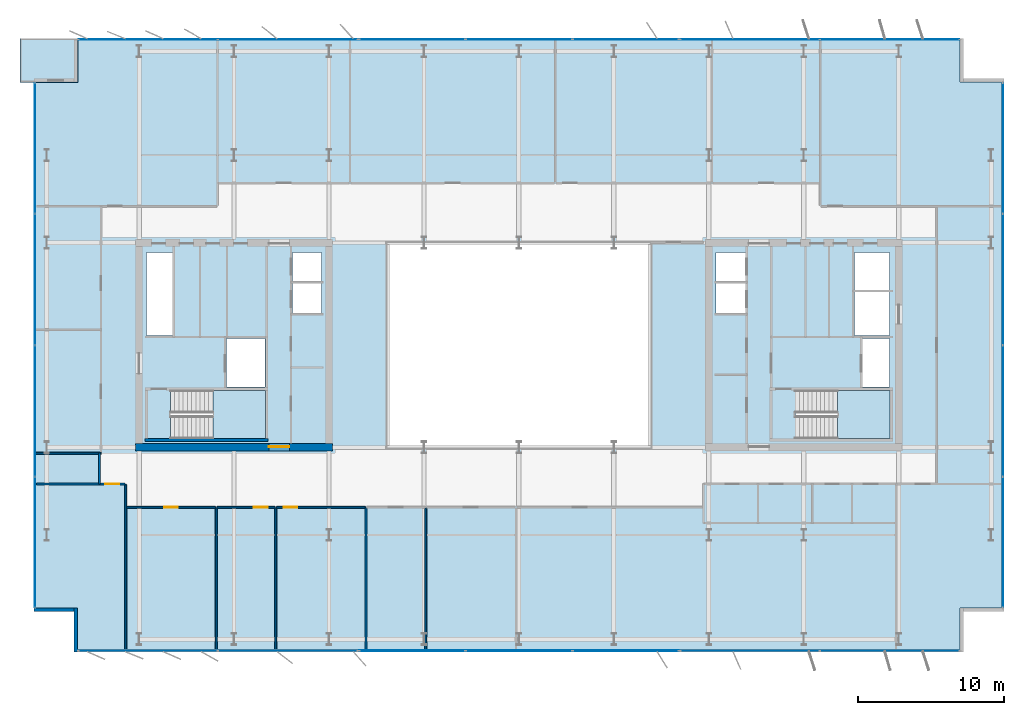
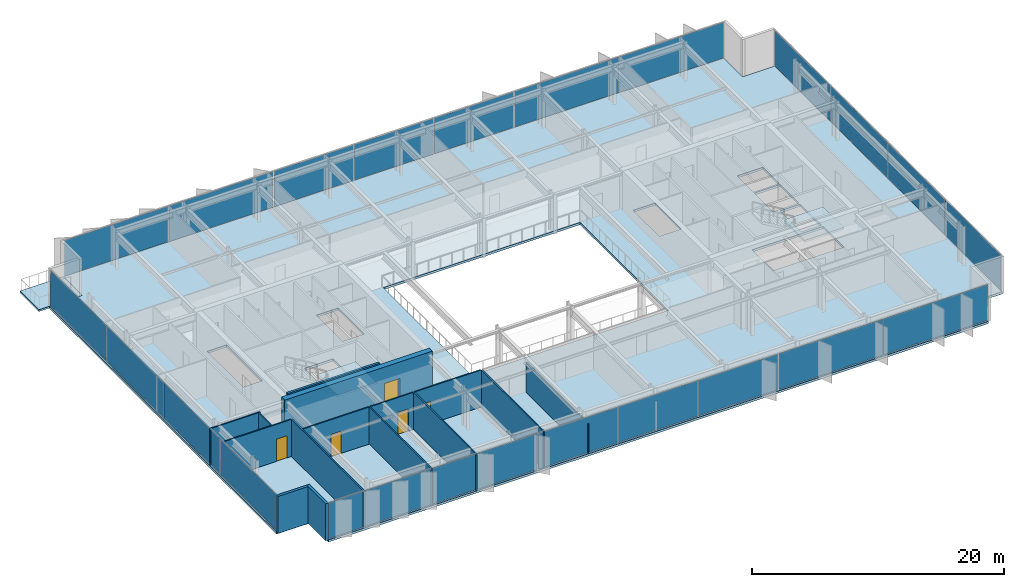
# One storey, part 16 of 23: 22 plates, 15 walls, 5 doors, 4 slabs, 5 openings, 10 elements without a shape of their own.
"""IFC4 building model written with IfcOpenShell, lengths in metres."""

from ifc_helpers import new_model, si_unit, direction, frame, frame_2d, origin, origin_2d, place, context, subcontext, project, spatial, polyline, rectangle, outline, extrude, material, layer, layer_set, type_object, element, fill, aggregate, save


model = new_model("IFC4")

# Units and contexts
model_context = context("Model", 3, precision=1e-05, world=origin(), true_north=direction((0.0, 1.0)))
body_context = subcontext(model_context, "Body", "Model", "MODEL_VIEW")
ifc_project = project(units=[si_unit("LENGTHUNIT", "METRE"), si_unit("AREAUNIT", "SQUARE_METRE"), si_unit("VOLUMEUNIT", "CUBIC_METRE"), si_unit("PLANEANGLEUNIT", "RADIAN"), si_unit("MASSUNIT", "GRAM", prefix="KILO")], contexts=[model_context])

# Site, building, storey
site_placement = place(None, origin())
site = spatial("IfcSite", under=ifc_project, at=site_placement, CompositionType="ELEMENT")
building_placement = place(site_placement, origin())
building = spatial("IfcBuilding", under=site, at=building_placement, Name="Putna Gate Headquarters", CompositionType="ELEMENT")
storey_placement = place(building_placement, frame((0.0, 0.0, 213.800048828125)))
storey = spatial("IfcBuildingStorey", under=building, at=storey_placement, Name="L53", CompositionType="ELEMENT", Elevation=213.800048828125)

# Stair, slab
ifc_material_1 = material(Name="Concrete C40/50", Category="concrete")
stair_type_1 = type_object("IfcStairType", Name="STAIR-ST1", PredefinedType="HALF_TURN_STAIR", material=ifc_material_1)
stair_1_placement = place(storey_placement, origin())
stair_1 = element("IfcStair", 1, at=stair_1_placement, inside=storey, type_object=stair_type_1, Name="L53 West Core Exit Stair ST1", PredefinedType="HALF_TURN_STAIR")
ifc_layer_1 = layer(ifc_material_1, 0.199951171875)
ifc_layer_set_1 = layer_set([ifc_layer_1], Name="Concrete C40/50")
slab_type_1 = type_object("IfcSlabType", Name="LANDING-ST1", PredefinedType="LANDING", material=ifc_layer_set_1)
slab_1_placement = place(storey_placement, frame((0.0, 0.0, 1.699951171875)))
slab_1 = element("IfcSlab", 2, at=slab_1_placement, type_object=slab_type_1, Name="ST1 landing 1", PredefinedType="LANDING", context=body_context, shape_type="SweptSolid", body=[
    extrude(outline(polyline([(18.050048828125, 19.60009765625), (21.64990234375, 19.60009765625), (21.64990234375, 22.89990234375), (18.050048828125, 22.89990234375), (18.050048828125, 19.60009765625)])), origin(), (0.0, 0.0, 1.0), 0.199951171875),
])
aggregate(stair_1, [slab_1])

stair_type_2 = type_object("IfcStairType", Name="STAIR-ST2", PredefinedType="HALF_TURN_STAIR", material=ifc_material_1)
stair_2_placement = place(storey_placement, origin())
stair_2 = element("IfcStair", 3, at=stair_2_placement, inside=storey, type_object=stair_type_2, Name="L53 East Core Exit Stair ST2", PredefinedType="HALF_TURN_STAIR")
ifc_layer_2 = layer(ifc_material_1, 0.199951171875)
ifc_layer_set_2 = layer_set([ifc_layer_2], Name="Concrete C40/50")
slab_type_2 = type_object("IfcSlabType", Name="LANDING-ST2", PredefinedType="LANDING", material=ifc_layer_set_2)
slab_2_placement = place(storey_placement, frame((0.0, 0.0, 1.699951171875)))
slab_2 = element("IfcSlab", 4, at=slab_2_placement, type_object=slab_type_2, Name="ST2 landing 1", PredefinedType="LANDING", context=body_context, shape_type="SweptSolid", body=[
    extrude(outline(polyline([(60.800048828125, 19.60009765625), (64.39990234375, 19.60009765625), (64.39990234375, 22.89990234375), (60.800048828125, 22.89990234375), (60.800048828125, 19.60009765625)])), origin(), (0.0, 0.0, 1.0), 0.199951171875),
])
aggregate(stair_2, [slab_2])

# Curtain wall, plates
ifc_material_2 = material(Name="Anodised bronze aluminium curtain wall", Category="aluminium")
ifc_layer_3 = layer(ifc_material_2, 0.139892578125)
ifc_layer_set_3 = layer_set([ifc_layer_3], Name="Anodised bronze aluminium curtain wall")
curtain_wall_type_1 = type_object("IfcCurtainWallType", Name="CW-SYS-Z4", PredefinedType="USERDEFINED", material=ifc_layer_set_3)
curtain_wall_1_placement = place(storey_placement, origin())
curtain_wall_1 = element("IfcCurtainWall", 5, at=curtain_wall_1_placement, inside=storey, type_object=curtain_wall_type_1, Name="L53 South West Curtain Wall", ObjectType="STICK CURTAIN WALL", PredefinedType="USERDEFINED")
ifc_material_3 = material(Name="Solar-control triple low-E glass", Category="glass")
ifc_layer_4 = layer(ifc_material_3, 0.02587890625)
ifc_layer_set_4 = layer_set([ifc_layer_4], Name="Solar-control triple low-E glass")
plate_type_1 = type_object("IfcPlateType", Name="PAN-CWP-4", PredefinedType="CURTAIN_PANEL", material=ifc_layer_set_4)
plate_1_placement = place(storey_placement, frame((13.614990234375, 5.080078125, 0.06005859375), z_axis=(0.0, 0.0, 1.0), x_axis=(1.0, 0.0, 0.0)))
plate_1 = element("IfcPlate", 6, at=plate_1_placement, type_object=plate_type_1, Name="CWS-4 panel 1.1", PredefinedType="CURTAIN_PANEL", context=body_context, shape_type="SweptSolid", body=[
    extrude(rectangle(XDim=9.510009765625, YDim=0.02587890625, at=origin_2d()), origin(), (0.0, 0.0, 1.0), 3.4599609375),
])
plate_2_placement = place(storey_placement, frame((23.18505859375, 5.080078125, 0.06005859375), z_axis=(0.0, 0.0, 1.0), x_axis=(1.0, 0.0, 0.0)))
plate_2 = element("IfcPlate", 7, at=plate_2_placement, type_object=plate_type_1, Name="CWS-4 panel 2.1", PredefinedType="CURTAIN_PANEL", context=body_context, shape_type="SweptSolid", body=[
    extrude(rectangle(XDim=9.510009765625, YDim=0.02587890625, at=origin_2d()), origin(), (0.0, 0.0, 1.0), 3.4599609375),
])
aggregate(curtain_wall_1, [plate_1, plate_2])

curtain_wall_2_placement = place(storey_placement, origin())
curtain_wall_2 = element("IfcCurtainWall", 8, at=curtain_wall_2_placement, inside=storey, type_object=curtain_wall_type_1, Name="L53 South East Curtain Wall", ObjectType="STICK CURTAIN WALL", PredefinedType="USERDEFINED")
plate_3_placement = place(storey_placement, frame((54.81494140625, 5.080078125, 0.06005859375), z_axis=(0.0, 0.0, 1.0), x_axis=(1.0, 0.0, 0.0)))
plate_3 = element("IfcPlate", 9, at=plate_3_placement, type_object=plate_type_1, Name="CWS-4 panel 1.1", PredefinedType="CURTAIN_PANEL", context=body_context, shape_type="SweptSolid", body=[
    extrude(rectangle(XDim=9.510009765625, YDim=0.02587890625, at=origin_2d()), origin(), (0.0, 0.0, 1.0), 3.4599609375),
])
plate_4_placement = place(storey_placement, frame((64.385009765625, 5.080078125, 0.06005859375), z_axis=(0.0, 0.0, 1.0), x_axis=(1.0, 0.0, 0.0)))
plate_4 = element("IfcPlate", 10, at=plate_4_placement, type_object=plate_type_1, Name="CWS-4 panel 2.1", PredefinedType="CURTAIN_PANEL", context=body_context, shape_type="SweptSolid", body=[
    extrude(rectangle(XDim=9.510009765625, YDim=0.02587890625, at=origin_2d()), origin(), (0.0, 0.0, 1.0), 3.4599609375),
])
aggregate(curtain_wall_2, [plate_3, plate_4])

curtain_wall_3_placement = place(storey_placement, origin())
curtain_wall_3 = element("IfcCurtainWall", 11, at=curtain_wall_3_placement, inside=storey, type_object=curtain_wall_type_1, Name="L53 North West Curtain Wall", ObjectType="STICK CURTAIN WALL", PredefinedType="USERDEFINED")
plate_5_placement = place(storey_placement, frame((13.614990234375, 46.919921875, 0.06005859375), z_axis=(0.0, 0.0, 1.0), x_axis=(1.0, 0.0, 0.0)))
plate_5 = element("IfcPlate", 12, at=plate_5_placement, type_object=plate_type_1, Name="CWS-4 panel 1.1", PredefinedType="CURTAIN_PANEL", context=body_context, shape_type="SweptSolid", body=[
    extrude(rectangle(XDim=9.510009765625, YDim=0.02587890625, at=origin_2d()), origin(), (0.0, 0.0, 1.0), 3.4599609375),
])
plate_6_placement = place(storey_placement, frame((23.18505859375, 46.919921875, 0.06005859375), z_axis=(0.0, 0.0, 1.0), x_axis=(1.0, 0.0, 0.0)))
plate_6 = element("IfcPlate", 13, at=plate_6_placement, type_object=plate_type_1, Name="CWS-4 panel 2.1", PredefinedType="CURTAIN_PANEL", context=body_context, shape_type="SweptSolid", body=[
    extrude(rectangle(XDim=9.510009765625, YDim=0.02587890625, at=origin_2d()), origin(), (0.0, 0.0, 1.0), 3.4599609375),
])
aggregate(curtain_wall_3, [plate_5, plate_6])

curtain_wall_4_placement = place(storey_placement, origin())
curtain_wall_4 = element("IfcCurtainWall", 14, at=curtain_wall_4_placement, inside=storey, type_object=curtain_wall_type_1, Name="L53 North East Curtain Wall", ObjectType="STICK CURTAIN WALL", PredefinedType="USERDEFINED")
plate_7_placement = place(storey_placement, frame((54.81494140625, 46.919921875, 0.06005859375), z_axis=(0.0, 0.0, 1.0), x_axis=(1.0, 0.0, 0.0)))
plate_7 = element("IfcPlate", 15, at=plate_7_placement, type_object=plate_type_1, Name="CWS-4 panel 1.1", PredefinedType="CURTAIN_PANEL", context=body_context, shape_type="SweptSolid", body=[
    extrude(rectangle(XDim=9.510009765625, YDim=0.02587890625, at=origin_2d()), origin(), (0.0, 0.0, 1.0), 3.4599609375),
])
plate_8_placement = place(storey_placement, frame((64.385009765625, 46.919921875, 0.06005859375), z_axis=(0.0, 0.0, 1.0), x_axis=(1.0, 0.0, 0.0)))
plate_8 = element("IfcPlate", 16, at=plate_8_placement, type_object=plate_type_1, Name="CWS-4 panel 2.1", PredefinedType="CURTAIN_PANEL", context=body_context, shape_type="SweptSolid", body=[
    extrude(rectangle(XDim=9.510009765625, YDim=0.02587890625, at=origin_2d()), origin(), (0.0, 0.0, 1.0), 3.4599609375),
])
aggregate(curtain_wall_4, [plate_7, plate_8])

curtain_wall_5_placement = place(storey_placement, origin())
curtain_wall_5 = element("IfcCurtainWall", 17, at=curtain_wall_5_placement, inside=storey, type_object=curtain_wall_type_1, Name="L53 West Curtain Wall", ObjectType="STICK CURTAIN WALL", PredefinedType="USERDEFINED")
plate_9_placement = place(storey_placement, frame((5.8798828125, 12.514892578125, 0.06005859375), z_axis=(0.0, 0.0, 1.0), x_axis=(0.0, 1.0, 0.0)))
plate_9 = element("IfcPlate", 18, at=plate_9_placement, type_object=plate_type_1, Name="CWS-4 panel 1.1", PredefinedType="CURTAIN_PANEL", context=body_context, shape_type="SweptSolid", body=[
    extrude(rectangle(XDim=8.909912109375, YDim=0.02587890625, at=origin_2d()), origin(), (0.0, 0.0, 1.0), 3.4599609375),
])
plate_10_placement = place(storey_placement, frame((5.8798828125, 21.5, 0.06005859375), z_axis=(0.0, 0.0, 1.0), x_axis=(0.0, 1.0, 0.0)))
plate_10 = element("IfcPlate", 19, at=plate_10_placement, type_object=plate_type_1, Name="CWS-4 panel 2.1", PredefinedType="CURTAIN_PANEL", context=body_context, shape_type="SweptSolid", body=[
    extrude(rectangle(XDim=8.93994140625, YDim=0.02587890625, at=origin_2d()), origin(), (0.0, 0.0, 1.0), 3.4599609375),
])
plate_11_placement = place(storey_placement, frame((5.8798828125, 30.5, 0.06005859375), z_axis=(0.0, 0.0, 1.0), x_axis=(0.0, 1.0, 0.0)))
plate_11 = element("IfcPlate", 20, at=plate_11_placement, type_object=plate_type_1, Name="CWS-4 panel 3.1", PredefinedType="CURTAIN_PANEL", context=body_context, shape_type="SweptSolid", body=[
    extrude(rectangle(XDim=8.93994140625, YDim=0.02587890625, at=origin_2d()), origin(), (0.0, 0.0, 1.0), 3.4599609375),
])
plate_12_placement = place(storey_placement, frame((5.8798828125, 39.485107421875, 0.06005859375), z_axis=(0.0, 0.0, 1.0), x_axis=(0.0, 1.0, 0.0)))
plate_12 = element("IfcPlate", 21, at=plate_12_placement, type_object=plate_type_1, Name="CWS-4 panel 4.1", PredefinedType="CURTAIN_PANEL", context=body_context, shape_type="SweptSolid", body=[
    extrude(rectangle(XDim=8.909912109375, YDim=0.02587890625, at=origin_2d()), origin(), (0.0, 0.0, 1.0), 3.4599609375),
])
aggregate(curtain_wall_5, [plate_9, plate_10, plate_11, plate_12])

curtain_wall_6_placement = place(storey_placement, origin())
curtain_wall_6 = element("IfcCurtainWall", 22, at=curtain_wall_6_placement, inside=storey, type_object=curtain_wall_type_1, Name="L53 East Curtain Wall", ObjectType="STICK CURTAIN WALL", PredefinedType="USERDEFINED")
plate_13_placement = place(storey_placement, frame((72.1201171875, 12.514892578125, 0.06005859375), z_axis=(0.0, 0.0, 1.0), x_axis=(0.0, 1.0, 0.0)))
plate_13 = element("IfcPlate", 23, at=plate_13_placement, type_object=plate_type_1, Name="CWS-4 panel 1.1", PredefinedType="CURTAIN_PANEL", context=body_context, shape_type="SweptSolid", body=[
    extrude(rectangle(XDim=8.909912109375, YDim=0.02587890625, at=origin_2d()), origin(), (0.0, 0.0, 1.0), 3.4599609375),
])
plate_14_placement = place(storey_placement, frame((72.1201171875, 21.5, 0.06005859375), z_axis=(0.0, 0.0, 1.0), x_axis=(0.0, 1.0, 0.0)))
plate_14 = element("IfcPlate", 24, at=plate_14_placement, type_object=plate_type_1, Name="CWS-4 panel 2.1", PredefinedType="CURTAIN_PANEL", context=body_context, shape_type="SweptSolid", body=[
    extrude(rectangle(XDim=8.93994140625, YDim=0.02587890625, at=origin_2d()), origin(), (0.0, 0.0, 1.0), 3.4599609375),
])
plate_15_placement = place(storey_placement, frame((72.1201171875, 30.5, 0.06005859375), z_axis=(0.0, 0.0, 1.0), x_axis=(0.0, 1.0, 0.0)))
plate_15 = element("IfcPlate", 25, at=plate_15_placement, type_object=plate_type_1, Name="CWS-4 panel 3.1", PredefinedType="CURTAIN_PANEL", context=body_context, shape_type="SweptSolid", body=[
    extrude(rectangle(XDim=8.93994140625, YDim=0.02587890625, at=origin_2d()), origin(), (0.0, 0.0, 1.0), 3.4599609375),
])
plate_16_placement = place(storey_placement, frame((72.1201171875, 39.485107421875, 0.06005859375), z_axis=(0.0, 0.0, 1.0), x_axis=(0.0, 1.0, 0.0)))
plate_16 = element("IfcPlate", 26, at=plate_16_placement, type_object=plate_type_1, Name="CWS-4 panel 4.1", PredefinedType="CURTAIN_PANEL", context=body_context, shape_type="SweptSolid", body=[
    extrude(rectangle(XDim=8.909912109375, YDim=0.02587890625, at=origin_2d()), origin(), (0.0, 0.0, 1.0), 3.4599609375),
])
aggregate(curtain_wall_6, [plate_13, plate_14, plate_15, plate_16])

ifc_layer_5 = layer(ifc_material_2, 0.179931640625)
ifc_layer_set_5 = layer_set([ifc_layer_5], Name="Anodised bronze aluminium curtain wall")
curtain_wall_type_2 = type_object("IfcCurtainWallType", Name="CW-SYS-ATR", PredefinedType="USERDEFINED", material=ifc_layer_set_5)
curtain_wall_7_placement = place(storey_placement, origin())
curtain_wall_7 = element("IfcCurtainWall", 27, at=curtain_wall_7_placement, inside=storey, type_object=curtain_wall_type_2, Name="L53 South Atrium Clear Glazing", ObjectType="ATRIUM GLAZING", PredefinedType="USERDEFINED")
ifc_material_4 = material(Name="Clear low-iron triple glazing", Category="glass")
ifc_layer_6 = layer(ifc_material_4, 0.0400390625)
ifc_layer_set_6 = layer_set([ifc_layer_6], Name="Clear low-iron triple glazing")
plate_type_2 = type_object("IfcPlateType", Name="PAN-CWP-AT", PredefinedType="CURTAIN_PANEL", material=ifc_layer_set_6)
plate_17_placement = place(storey_placement, frame((31.68408203125, 5.080078125, 0.070068359375), z_axis=(0.0, 0.0, 1.0), x_axis=(1.0, 0.0, 0.0)))
plate_17 = element("IfcPlate", 28, at=plate_17_placement, type_object=plate_type_2, Name="CWS-AT panel 1.1", PredefinedType="CURTAIN_PANEL", context=body_context, shape_type="SweptSolid", body=[
    extrude(rectangle(XDim=7.228271484375, YDim=0.0400390625, at=origin_2d()), origin(), (0.0, 0.0, 1.0), 3.43994140625),
])
plate_18_placement = place(storey_placement, frame((39.0, 5.080078125, 0.070068359375), z_axis=(0.0, 0.0, 1.0), x_axis=(1.0, 0.0, 0.0)))
plate_18 = element("IfcPlate", 29, at=plate_18_placement, type_object=plate_type_2, Name="CWS-AT panel 2.1", PredefinedType="CURTAIN_PANEL", context=body_context, shape_type="SweptSolid", body=[
    extrude(rectangle(XDim=7.263427734375, YDim=0.0400390625, at=origin_2d()), origin(), (0.0, 0.0, 1.0), 3.43994140625),
])
plate_19_placement = place(storey_placement, frame((46.31591796875, 5.080078125, 0.070068359375), z_axis=(0.0, 0.0, 1.0), x_axis=(1.0, 0.0, 0.0)))
plate_19 = element("IfcPlate", 30, at=plate_19_placement, type_object=plate_type_2, Name="CWS-AT panel 3.1", PredefinedType="CURTAIN_PANEL", context=body_context, shape_type="SweptSolid", body=[
    extrude(rectangle(XDim=7.228271484375, YDim=0.0400390625, at=origin_2d()), origin(), (0.0, 0.0, 1.0), 3.43994140625),
])
aggregate(curtain_wall_7, [plate_17, plate_18, plate_19])

curtain_wall_8_placement = place(storey_placement, origin())
curtain_wall_8 = element("IfcCurtainWall", 31, at=curtain_wall_8_placement, inside=storey, type_object=curtain_wall_type_2, Name="L53 North Atrium Clear Glazing", ObjectType="ATRIUM GLAZING", PredefinedType="USERDEFINED")
plate_20_placement = place(storey_placement, frame((31.68408203125, 46.919921875, 0.070068359375), z_axis=(0.0, 0.0, 1.0), x_axis=(1.0, 0.0, 0.0)))
plate_20 = element("IfcPlate", 32, at=plate_20_placement, type_object=plate_type_2, Name="CWS-AT panel 1.1", PredefinedType="CURTAIN_PANEL", context=body_context, shape_type="SweptSolid", body=[
    extrude(rectangle(XDim=7.228271484375, YDim=0.0400390625, at=origin_2d()), origin(), (0.0, 0.0, 1.0), 3.43994140625),
])
plate_21_placement = place(storey_placement, frame((39.0, 46.919921875, 0.070068359375), z_axis=(0.0, 0.0, 1.0), x_axis=(1.0, 0.0, 0.0)))
plate_21 = element("IfcPlate", 33, at=plate_21_placement, type_object=plate_type_2, Name="CWS-AT panel 2.1", PredefinedType="CURTAIN_PANEL", context=body_context, shape_type="SweptSolid", body=[
    extrude(rectangle(XDim=7.263427734375, YDim=0.0400390625, at=origin_2d()), origin(), (0.0, 0.0, 1.0), 3.43994140625),
])
plate_22_placement = place(storey_placement, frame((46.31591796875, 46.919921875, 0.070068359375), z_axis=(0.0, 0.0, 1.0), x_axis=(1.0, 0.0, 0.0)))
plate_22 = element("IfcPlate", 34, at=plate_22_placement, type_object=plate_type_2, Name="CWS-AT panel 3.1", PredefinedType="CURTAIN_PANEL", context=body_context, shape_type="SweptSolid", body=[
    extrude(rectangle(XDim=7.228271484375, YDim=0.0400390625, at=origin_2d()), origin(), (0.0, 0.0, 1.0), 3.43994140625),
])
aggregate(curtain_wall_8, [plate_20, plate_21, plate_22])

# Slabs
ifc_layer_7 = layer(ifc_material_1, 0.179931640625)
ifc_layer_set_7 = layer_set([ifc_layer_7], Name="Concrete C40/50")
slab_type_3 = type_object("IfcSlabType", Name="SLAB-TERRACE-180", PredefinedType="FLOOR", material=ifc_layer_set_7)
slab_3_placement = place(storey_placement, frame((0.0, 0.0, -0.179931640625)))
element("IfcSlab", 35, at=slab_3_placement, inside=storey, type_object=slab_type_3, Name="L53 Spiral Sky-Garden Terrace Slab (NW)", PredefinedType="FLOOR", context=body_context, shape_type="SweptSolid", body=[
    extrude(outline(polyline([(4.85009765625, 43.991943359375), (8.80810546875, 43.991943359375), (8.80810546875, 47.0), (4.85009765625, 47.0), (4.85009765625, 43.991943359375)])), origin(), (0.0, 0.0, 1.0), 0.179931640625),
])
ifc_layer_8 = layer(ifc_material_1, 0.219970703125)
ifc_layer_set_8 = layer_set([ifc_layer_8], Name="Concrete C40/50")
slab_type_4 = type_object("IfcSlabType", Name="SLAB-Z4-220", PredefinedType="FLOOR", material=ifc_layer_set_8)
slab_4_placement = place(storey_placement, frame((0.0, 0.0, -0.219970703125)))
element("IfcSlab", 36, at=slab_4_placement, inside=storey, type_object=slab_type_4, Name="L53 Composite Floor Slab", PredefinedType="FLOOR", context=body_context, shape_type="SweptSolid", body=[
    extrude(outline(polyline([(8.800048828125, 5.0), (69.199951171875, 5.0), (69.199951171875, 8.0), (72.199951171875, 8.0), (72.199951171875, 44.0), (69.199951171875, 44.0), (69.199951171875, 47.0), (8.800048828125, 47.0), (8.800048828125, 44.0), (5.800048828125, 44.0), (5.800048828125, 8.0), (8.800048828125, 8.0), (8.800048828125, 5.0)]), holes=[polyline([(15.1650390625, 19.60009765625), (21.64990234375, 19.60009765625), (21.64990234375, 22.89990234375), (15.1650390625, 22.89990234375), (15.1650390625, 19.60009765625)]), polyline([(57.9150390625, 19.60009765625), (64.39990234375, 19.60009765625), (64.39990234375, 22.89990234375), (57.9150390625, 22.89990234375), (57.9150390625, 19.60009765625)]), polyline([(13.52001953125, 26.659912109375), (15.280029296875, 26.659912109375), (15.280029296875, 32.35009765625), (13.52001953125, 32.35009765625), (13.52001953125, 26.659912109375)]), polyline([(61.969970703125, 29.780029296875), (64.35009765625, 29.780029296875), (64.35009765625, 32.35009765625), (61.969970703125, 32.35009765625), (61.969970703125, 29.780029296875)]), polyline([(18.97998046875, 23.1201171875), (21.6201171875, 23.1201171875), (21.6201171875, 26.4599609375), (18.97998046875, 26.4599609375), (18.97998046875, 23.1201171875)]), polyline([(62.52001953125, 23.1201171875), (64.35009765625, 23.1201171875), (64.35009765625, 26.4599609375), (62.52001953125, 26.4599609375), (62.52001953125, 23.1201171875)]), polyline([(61.969970703125, 26.659912109375), (64.35009765625, 26.659912109375), (64.35009765625, 29.6201171875), (61.969970703125, 29.6201171875), (61.969970703125, 26.659912109375)]), polyline([(23.5, 28.199951171875), (25.5, 28.199951171875), (25.5, 32.35009765625), (23.5, 32.35009765625), (23.5, 28.199951171875)]), polyline([(52.47998046875, 28.199951171875), (54.5, 28.199951171875), (54.5, 32.35009765625), (52.47998046875, 32.35009765625), (52.47998046875, 28.199951171875)]), polyline([(30.0, 19.0), (48.0, 19.0), (48.0, 33.0), (30.0, 33.0), (30.0, 19.0)])]), origin(), (0.0, 0.0, 1.0), 0.219970703125),
])

# Wall, opening, door
ifc_material_5 = material(Name="Concrete C50/60", Category="concrete")
ifc_layer_9 = layer(ifc_material_5, 0.5)
ifc_layer_set_9 = layer_set([ifc_layer_9], Name="Concrete C50/60")
wall_type_1 = type_object("IfcWallType", Name="WALL-CORE-500", PredefinedType="SHEAR", material=ifc_layer_set_9)
wall_1_placement = place(storey_placement, frame((12.75, 19.0, 0.0), z_axis=(0.0, 0.0, 1.0), x_axis=(1.0, 0.0, 0.0)))
wall_1 = element("IfcWall", 37, at=wall_1_placement, inside=storey, type_object=wall_type_1, Name="L53 WC Split Core Shear Wall S", PredefinedType="SHEAR", context=body_context, shape_type="SweptSolid", body=[
    extrude(rectangle(XDim=13.5, YDim=0.5, at=frame_2d((6.75, 0.0))), origin(), (0.0, 0.0, 1.0), 3.800048828125),
])
opening_1_placement = place(wall_1_placement, frame((9.1298828125, 0.0, 0.0)))
opening_1 = element("IfcOpeningElement", 38, at=opening_1_placement, cuts=wall_1, Name="Opening FDD-140", PredefinedType="OPENING", context=body_context, shape_type="SweptSolid", body=[
    extrude(rectangle(XDim=1.39990234375, YDim=2.199951171875, at=frame_2d((0.699951171875, 1.10009765625))), frame((0.0, 0.260009765625, 0.0), z_axis=(0.0, -1.0, 0.0), x_axis=(1.0, 0.0, 0.0)), (0.0, 0.0, 1.0), 0.52001953125),
])
ifc_material_6 = material(Name="Double steel fire door", Category="steel")
door_type_1 = type_object("IfcDoorType", Name="DOOR-FIRE-DBL-1400", OperationType="DOUBLE_DOOR_SINGLE_SWING", PredefinedType="DOOR", material=ifc_material_6)
door_1_placement = place(opening_1_placement, origin())
door_1 = element("IfcDoor", 39, at=door_1_placement, inside=storey, type_object=door_type_1, Name="L53 West Lift Lobby South Door", OperationType="DOUBLE_DOOR_SINGLE_SWING", OverallHeight=2.199951171875, OverallWidth=1.39990234375, PredefinedType="DOOR", context=body_context, shape_type="SweptSolid", body=[
    extrude(rectangle(XDim=1.39990234375, YDim=2.199951171875, at=frame_2d((0.699951171875, 1.10009765625))), frame((0.0, 0.0751953125, 0.0), z_axis=(0.0, -1.0, 0.0), x_axis=(1.0, 0.0, 0.0)), (0.0, 0.0, 1.0), 0.050048828125),
])
fill(opening_1, door_1)

# Walls
ifc_material_7 = material(Name="Precast concrete C40/50", Category="concrete")
ifc_layer_10 = layer(ifc_material_7, 0.239990234375)
ifc_layer_set_10 = layer_set([ifc_layer_10], Name="Precast concrete C40/50")
wall_type_2 = type_object("IfcWallType", Name="WALL-EXT-TERR-240", PredefinedType="STANDARD", material=ifc_layer_set_10)
for number, where, z_axis, x_axis, name in (
    (40, (8.679931640625, 5.0, 0.0), (0.0, 0.0, 1.0), (0.0, 1.0, 0.0), "L53 Corner Notch Return Wall SW-V"),
    (41, (8.800048828125, 7.8798828125, 0.0), (0.0, 0.0, 1.0), (-1.0, 0.0, 0.0), "L53 Corner Notch Return Wall SW-H"),
):
    element("IfcWall", number, at=place(storey_placement, frame(where, z_axis=z_axis, x_axis=x_axis)), inside=storey, type_object=wall_type_2, Name=name, PredefinedType="STANDARD", context=body_context, shape_type="SweptSolid", body=[
        extrude(rectangle(XDim=3.0, YDim=0.239990234375, at=frame_2d((1.5, 0.0))), origin(), (0.0, 0.0, 1.0), 3.579833984375),
    ])
ifc_material_8 = material(Name="Acoustic gypsum board on metal stud")
ifc_layer_11 = layer(ifc_material_8, 0.1201171875)
ifc_layer_set_11 = layer_set([ifc_layer_11], Name="Acoustic gypsum board on metal stud")
wall_type_3 = type_object("IfcWallType", Name="WALL-PART-120", PredefinedType="PARTITIONING", material=ifc_layer_set_11)
wall_2_placement = place(storey_placement, frame((12.09130859375, 5.02001953125, 0.0), z_axis=(0.0, 0.0, 1.0), x_axis=(0.0, 1.0, 0.0)))
element("IfcWall", 42, at=wall_2_placement, inside=storey, type_object=wall_type_3, Name="L53 Interior Wall PART-L53-SB-DIV-01", PredefinedType="PARTITIONING", context=body_context, shape_type="SweptSolid", body=[
    extrude(rectangle(XDim=11.419921875, YDim=0.1201171875, at=frame_2d((5.7099609375, 0.0))), origin(), (0.0, 0.0, 1.0), 3.579833984375),
])
for number, where, z_axis, x_axis, name in (
    (43, (18.278076171875, 5.02001953125, 0.0), (0.0, 0.0, 1.0), (0.0, 1.0, 0.0), "L53 Interior Wall PART-L53-SB-DIV-02"),
    (44, (22.352294921875, 5.02001953125, 0.0), (0.0, 0.0, 1.0), (0.0, 1.0, 0.0), "L53 Interior Wall PART-L53-SB-DIV-03"),
    (45, (28.5390625, 5.02001953125, 0.0), (0.0, 0.0, 1.0), (0.0, 1.0, 0.0), "L53 Interior Wall PART-L53-SB-DIV-04"),
):
    element("IfcWall", number, at=place(storey_placement, frame(where, z_axis=z_axis, x_axis=x_axis)), inside=storey, type_object=wall_type_3, Name=name, PredefinedType="PARTITIONING", context=body_context, shape_type="SweptSolid", body=[
        extrude(rectangle(XDim=9.820068359375, YDim=0.1201171875, at=frame_2d((4.91015625, 0.0))), origin(), (0.0, 0.0, 1.0), 3.579833984375),
    ])
wall_3_placement = place(storey_placement, frame((32.61328125, 5.02001953125, 0.0), z_axis=(0.0, 0.0, 1.0), x_axis=(0.0, 1.0, 0.0)))
element("IfcWall", 46, at=wall_3_placement, inside=storey, type_object=wall_type_3, Name="L53 Interior Wall PART-L53-SB-DIV-05", PredefinedType="PARTITIONING", context=body_context, shape_type="SweptSolid", body=[
    extrude(rectangle(XDim=9.820068359375, YDim=0.1201171875, at=frame_2d((4.91015625, 0.0))), origin(), (0.0, 0.0, 1.0), 2.8798828125),
])
ifc_material_9 = material(Name="Fire-rated gypsum board on metal stud")
ifc_layer_12 = layer(ifc_material_9, 0.1201171875)
ifc_layer_set_12 = layer_set([ifc_layer_12], Name="Fire-rated gypsum board on metal stud")
wall_type_4 = type_object("IfcWallType", Name="WALL-PART-120-RATED", PredefinedType="PARTITIONING", material=ifc_layer_set_12)
wall_4_placement = place(storey_placement, frame((10.291259765625, 16.5, 0.0), z_axis=(0.0, 0.0, 1.0), x_axis=(0.0, 1.0, 0.0)))
element("IfcWall", 47, at=wall_4_placement, inside=storey, type_object=wall_type_4, Name="L53 Interior Wall PART-L53-CORRS-CAPW", PredefinedType="PARTITIONING", context=body_context, shape_type="SweptSolid", body=[
    extrude(rectangle(XDim=2.10009765625, YDim=0.1201171875, at=frame_2d((1.050048828125, 0.0))), origin(), (0.0, 0.0, 1.0), 3.579833984375),
])

# Wall, opening, door
wall_5_placement = place(storey_placement, frame((5.97998046875, 16.5, 0.0), z_axis=(0.0, 0.0, 1.0), x_axis=(1.0, 0.0, 0.0)))
wall_5 = element("IfcWall", 48, at=wall_5_placement, inside=storey, type_object=wall_type_4, Name="L53 Interior Wall PART-L53-SB-CW-01", PredefinedType="PARTITIONING", context=body_context, shape_type="SweptSolid", body=[
    extrude(rectangle(XDim=6.05126953125, YDim=0.1201171875, at=frame_2d((3.025634765625, 0.0))), origin(), (0.0, 0.0, 1.0), 3.579833984375),
])
opening_2_placement = place(wall_5_placement, frame((4.706298828125, 0.0, 0.0)))
opening_2 = element("IfcOpeningElement", 49, at=opening_2_placement, cuts=wall_5, Name="Opening FD-95", PredefinedType="OPENING", context=body_context, shape_type="SweptSolid", body=[
    extrude(rectangle(XDim=0.949951171875, YDim=2.14990234375, at=frame_2d((0.47509765625, 1.074951171875))), frame((0.0, 0.070068359375, 0.0), z_axis=(0.0, -1.0, 0.0), x_axis=(1.0, 0.0, 0.0)), (0.0, 0.0, 1.0), 0.14013671875),
])
ifc_material_10 = material(Name="Acoustic timber fire door", Category="wood")
door_type_2 = type_object("IfcDoorType", Name="DOOR-FIRE-950", OperationType="NOTDEFINED", PredefinedType="DOOR", material=ifc_material_10)
door_2_placement = place(opening_2_placement, origin())
door_2 = element("IfcDoor", 50, at=door_2_placement, inside=storey, type_object=door_type_2, Name="L53 Quiet Wellness Focus Studio 2 Door", OperationType="SINGLE_SWING_RIGHT", OverallHeight=2.14990234375, OverallWidth=0.949951171875, PredefinedType="DOOR", context=body_context, shape_type="SweptSolid", body=[
    extrude(rectangle(XDim=0.949951171875, YDim=2.14990234375, at=frame_2d((0.47509765625, 1.074951171875))), frame((0.0, 0.02490234375, 0.0), z_axis=(0.0, -1.0, 0.0), x_axis=(1.0, 0.0, 0.0)), (0.0, 0.0, 1.0), 0.050048828125),
])
fill(opening_2, door_2)

wall_6_placement = place(storey_placement, frame((12.1513671875, 14.89990234375, 0.0), z_axis=(0.0, 0.0, 1.0), x_axis=(1.0, 0.0, 0.0)))
wall_6 = element("IfcWall", 51, at=wall_6_placement, inside=storey, type_object=wall_type_4, Name="L53 Interior Wall PART-L53-SB-CW-02", PredefinedType="PARTITIONING", context=body_context, shape_type="SweptSolid", body=[
    extrude(rectangle(XDim=6.066650390625, YDim=0.1201171875, at=frame_2d((3.033203125, 0.0))), origin(), (0.0, 0.0, 1.0), 3.579833984375),
])
opening_3_placement = place(wall_6_placement, frame((2.558349609375, 0.0, 0.0)))
opening_3 = element("IfcOpeningElement", 52, at=opening_3_placement, cuts=wall_6, Name="Opening FD-95", PredefinedType="OPENING", context=body_context, shape_type="SweptSolid", body=[
    extrude(rectangle(XDim=0.949951171875, YDim=2.14990234375, at=frame_2d((0.47509765625, 1.074951171875))), frame((0.0, 0.070068359375, 0.0), z_axis=(0.0, -1.0, 0.0), x_axis=(1.0, 0.0, 0.0)), (0.0, 0.0, 1.0), 0.14013671875),
])
door_3_placement = place(opening_3_placement, origin())
door_3 = element("IfcDoor", 53, at=door_3_placement, inside=storey, type_object=door_type_2, Name="L53 Cellular Office 5 Door", OperationType="SINGLE_SWING_LEFT", OverallHeight=2.14990234375, OverallWidth=0.949951171875, PredefinedType="DOOR", context=body_context, shape_type="SweptSolid", body=[
    extrude(rectangle(XDim=0.949951171875, YDim=2.14990234375, at=frame_2d((0.47509765625, 1.074951171875))), frame((0.0, 0.02490234375, 0.0), z_axis=(0.0, -1.0, 0.0), x_axis=(1.0, 0.0, 0.0)), (0.0, 0.0, 1.0), 0.050048828125),
])
fill(opening_3, door_3)

wall_7_placement = place(storey_placement, frame((18.338134765625, 14.89990234375, 0.0), z_axis=(0.0, 0.0, 1.0), x_axis=(1.0, 0.0, 0.0)))
wall_7 = element("IfcWall", 54, at=wall_7_placement, inside=storey, type_object=wall_type_4, Name="L53 Interior Wall PART-L53-SB-CW-03", PredefinedType="PARTITIONING", context=body_context, shape_type="SweptSolid", body=[
    extrude(rectangle(XDim=3.9541015625, YDim=0.1201171875, at=frame_2d((1.97705078125, 0.0))), origin(), (0.0, 0.0, 1.0), 3.579833984375),
])
opening_4_placement = place(wall_7_placement, frame((2.524169921875, 0.0, 0.0)))
opening_4 = element("IfcOpeningElement", 55, at=opening_4_placement, cuts=wall_7, Name="Opening FD-95", PredefinedType="OPENING", context=body_context, shape_type="SweptSolid", body=[
    extrude(rectangle(XDim=0.949951171875, YDim=2.14990234375, at=frame_2d((0.47509765625, 1.074951171875))), frame((0.0, 0.070068359375, 0.0), z_axis=(0.0, -1.0, 0.0), x_axis=(1.0, 0.0, 0.0)), (0.0, 0.0, 1.0), 0.14013671875),
])
door_4_placement = place(opening_4_placement, origin())
door_4 = element("IfcDoor", 56, at=door_4_placement, inside=storey, type_object=door_type_2, Name="L53 Conference Meeting Room 1 Door", OperationType="SINGLE_SWING_RIGHT", OverallHeight=2.14990234375, OverallWidth=0.949951171875, PredefinedType="DOOR", context=body_context, shape_type="SweptSolid", body=[
    extrude(rectangle(XDim=0.949951171875, YDim=2.14990234375, at=frame_2d((0.47509765625, 1.074951171875))), frame((0.0, 0.02490234375, 0.0), z_axis=(0.0, -1.0, 0.0), x_axis=(1.0, 0.0, 0.0)), (0.0, 0.0, 1.0), 0.050048828125),
])
fill(opening_4, door_4)

wall_8_placement = place(storey_placement, frame((22.412353515625, 14.89990234375, 0.0), z_axis=(0.0, 0.0, 1.0), x_axis=(1.0, 0.0, 0.0)))
wall_8 = element("IfcWall", 57, at=wall_8_placement, inside=storey, type_object=wall_type_4, Name="L53 Interior Wall PART-L53-SB-CW-04", PredefinedType="PARTITIONING", context=body_context, shape_type="SweptSolid", body=[
    extrude(rectangle(XDim=6.066650390625, YDim=0.1201171875, at=frame_2d((3.033203125, 0.0))), origin(), (0.0, 0.0, 1.0), 3.579833984375),
])
opening_5_placement = place(wall_8_placement, frame((0.47998046875, 0.0, 0.0)))
opening_5 = element("IfcOpeningElement", 58, at=opening_5_placement, cuts=wall_8, Name="Opening FD-95", PredefinedType="OPENING", context=body_context, shape_type="SweptSolid", body=[
    extrude(rectangle(XDim=0.949951171875, YDim=2.14990234375, at=frame_2d((0.47509765625, 1.074951171875))), frame((0.0, 0.070068359375, 0.0), z_axis=(0.0, -1.0, 0.0), x_axis=(1.0, 0.0, 0.0)), (0.0, 0.0, 1.0), 0.14013671875),
])
door_5_placement = place(opening_5_placement, origin())
door_5 = element("IfcDoor", 59, at=door_5_placement, inside=storey, type_object=door_type_2, Name="L53 Conference Meeting Room 2 Door", OperationType="SINGLE_SWING_LEFT", OverallHeight=2.14990234375, OverallWidth=0.949951171875, PredefinedType="DOOR", context=body_context, shape_type="SweptSolid", body=[
    extrude(rectangle(XDim=0.949951171875, YDim=2.14990234375, at=frame_2d((0.47509765625, 1.074951171875))), frame((0.0, 0.02490234375, 0.0), z_axis=(0.0, -1.0, 0.0), x_axis=(1.0, 0.0, 0.0)), (0.0, 0.0, 1.0), 0.050048828125),
])
fill(opening_5, door_5)

# Walls
wall_9_placement = place(storey_placement, frame((5.820068359375, 18.60009765625, 0.0), z_axis=(0.0, 0.0, 1.0), x_axis=(1.0, 0.0, 0.0)))
element("IfcWall", 60, at=wall_9_placement, inside=storey, type_object=wall_type_4, Name="L53 Interior Wall PART-L53-WW-S-BOUND", PredefinedType="PARTITIONING", context=body_context, shape_type="SweptSolid", body=[
    extrude(rectangle(XDim=4.579833984375, YDim=0.1201171875, at=frame_2d((2.2900390625, 0.0))), origin(), (0.0, 0.0, 1.0), 3.579833984375),
])
ifc_layer_13 = layer(ifc_material_1, 0.199951171875)
ifc_layer_set_13 = layer_set([ifc_layer_13], Name="Concrete C40/50")
wall_type_5 = type_object("IfcWallType", Name="WALL-SHAFT-RC200", PredefinedType="SHEAR", material=ifc_layer_set_13)
wall_10_placement = place(storey_placement, frame((13.409912109375, 19.510009765625, 0.0), z_axis=(0.0, 0.0, 1.0), x_axis=(1.0, 0.0, 0.0)))
element("IfcWall", 61, at=wall_10_placement, inside=storey, type_object=wall_type_5, Name="L53 Stair ST1 Structural Shaft Wall S", PredefinedType="SHEAR", context=body_context, shape_type="SweptSolid", body=[
    extrude(rectangle(XDim=8.43017578125, YDim=0.199951171875, at=frame_2d((4.215087890625, 0.0))), origin(), (0.0, 0.0, 1.0), 3.800048828125),
])

save(model, "model.ifc")
